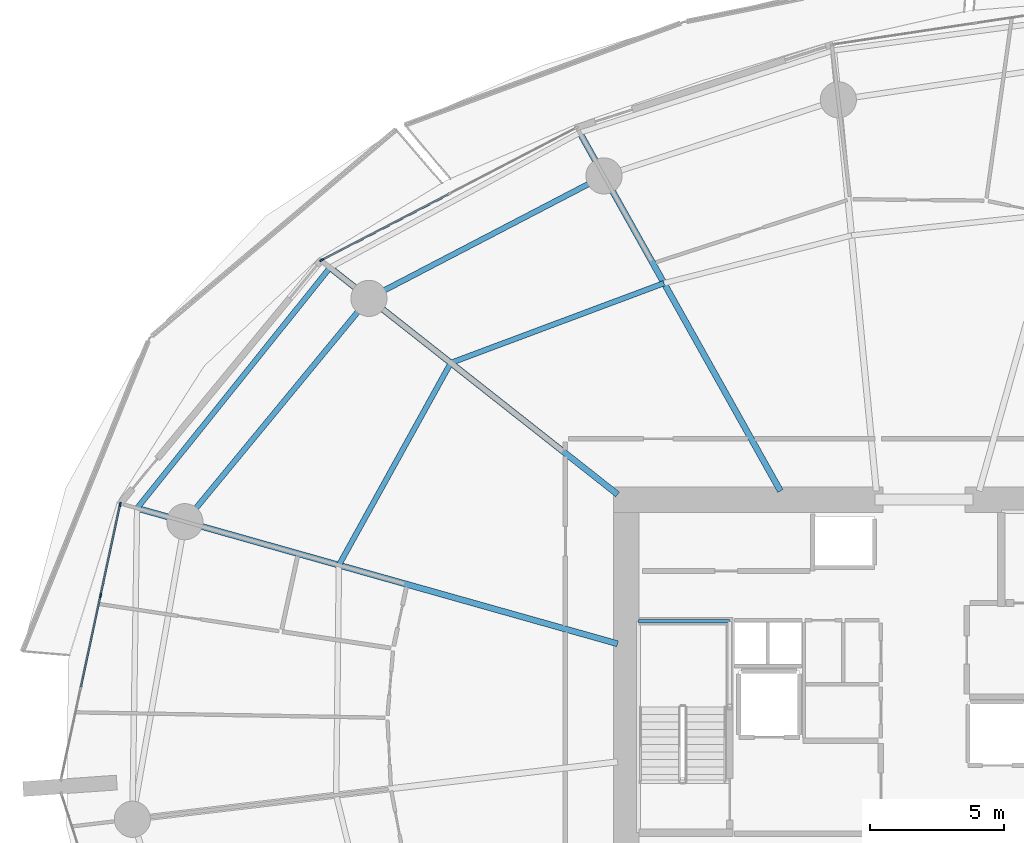
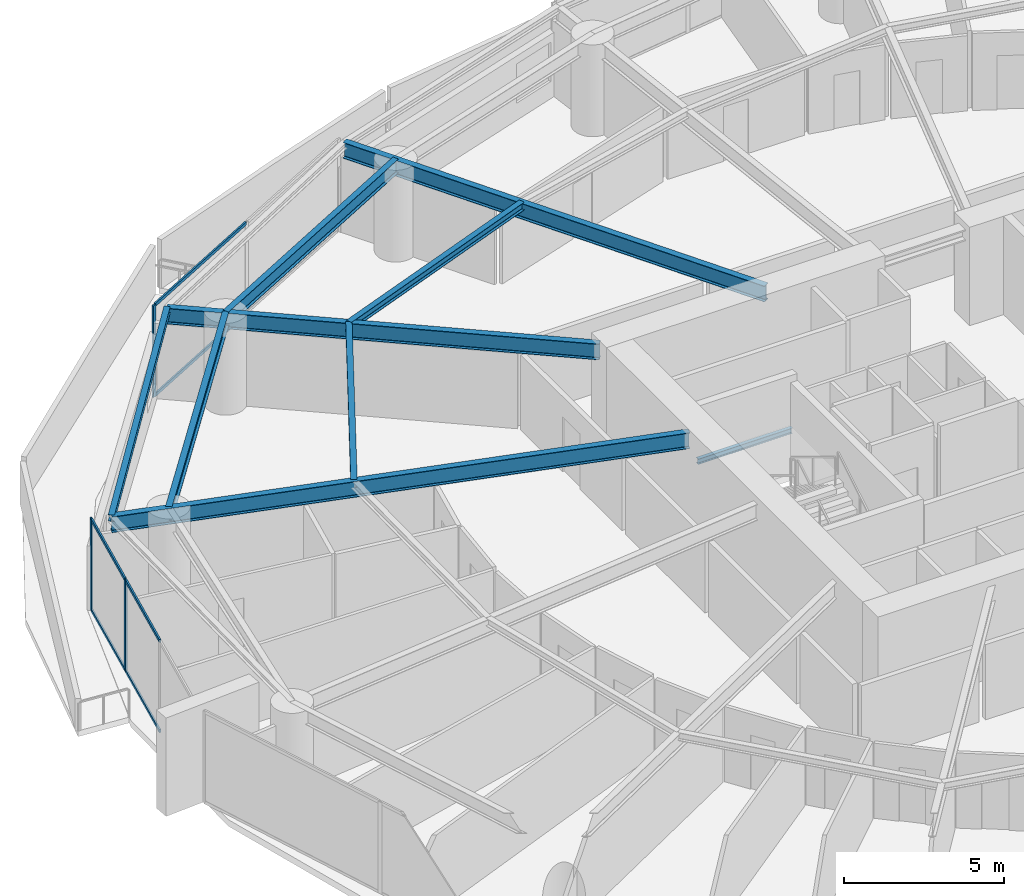
# One storey, part 12 of 31: 9 beams, 9 members, 2 elements without a shape of their own.
"""IFC4 building model written with IfcOpenShell, lengths in metres."""

import ifcopenshell
import ifcopenshell.guid

model = None  # the IFC model being written
_history = None  # IfcOwnerHistory: only IFC2X3 demands one
_inside = {}  # id of a spatial element -> (the spatial element, [elements in it])
_under = {}  # id of a project, library or spatial element -> (it, [spatial elements below it])
_declared = {}  # id of a project -> (the project, [libraries it declares])
_typed = {}  # id of a type object -> (the type object, [elements of that type])
_made_of = {}  # id of a material, layer set ... -> (it, [elements and type objects made of it])


def new_model(schema):
    """Start an empty IFC model of exactly this schema.

    Asked for "IFC4X3", IfcOpenShell would pick the latest addendum, in which some entities
    have other attributes; the version numbers below select the first issue.
    IFC2X3 requires an IfcOwnerHistory on every rooted entity: one is made here for all.
    """
    global model, _history
    if schema == "IFC4X3":
        model = ifcopenshell.file(schema_version=(4, 3, 0, 0))
    else:
        model = ifcopenshell.file(schema=schema)
    _inside.clear()
    _under.clear()
    _declared.clear()
    _typed.clear()
    _made_of.clear()
    _history = None
    if model.schema == "IFC2X3":
        org = make("IfcOrganization", Name="unknown")
        user = make(
            "IfcPersonAndOrganization",
            ThePerson=make("IfcPerson", FamilyName="unknown"),
            TheOrganization=org,
        )
        app = make(
            "IfcApplication",
            ApplicationDeveloper=org,
            Version="unknown",
            ApplicationFullName="unknown",
            ApplicationIdentifier="unknown",
        )
        _history = make(
            "IfcOwnerHistory",
            OwningUser=user,
            OwningApplication=app,
            ChangeAction="ADDED",
            CreationDate=0,
        )
    return model


def make(cls, **values):
    """One entity of the class cls with the attributes given. An attribute that is None is left unset."""
    return model.create_entity(
        cls, **{name: value for name, value in values.items() if value is not None}
    )


def rooted(cls, **values):
    """An entity with a GlobalId (a new one), such as an element, a storey or a relation."""
    return make(cls, GlobalId=ifcopenshell.guid.new(), OwnerHistory=_history, **values)


def si_unit(unit_type, name, prefix=None):
    """IfcSIUnit, for example si_unit("LENGTHUNIT", "METRE", prefix="MILLI")."""
    return make("IfcSIUnit", UnitType=unit_type, Prefix=prefix, Name=name)


def assignment(units):
    """IfcUnitAssignment: the units of a project."""
    return None if units is None else make("IfcUnitAssignment", Units=units)


def point(xyz):
    """IfcCartesianPoint."""
    return None if xyz is None else make("IfcCartesianPoint", Coordinates=xyz)


def direction(xyz):
    """IfcDirection."""
    return None if xyz is None else make("IfcDirection", DirectionRatios=xyz)


def frame(location, z_axis=None, x_axis=None):
    """IfcAxis2Placement3D, a coordinate frame: its origin and axes. An axis left out is left unset."""
    return make(
        "IfcAxis2Placement3D",
        Location=point(location),
        Axis=direction(z_axis),
        RefDirection=direction(x_axis),
    )


def frame_2d(location, x_axis=None):
    """IfcAxis2Placement2D, a coordinate frame in the plane: its origin and x axis."""
    return make(
        "IfcAxis2Placement2D", Location=point(location), RefDirection=direction(x_axis)
    )


def origin():
    """The frame at (0, 0, 0) with its axes left unset."""
    return frame((0.0, 0.0, 0.0))


def origin_2d():
    """The frame at (0, 0) in the plane with its x axis left unset."""
    return frame_2d((0.0, 0.0))


def place(relative_to, where):
    """IfcLocalPlacement: puts the frame where relative to a parent placement (None: the world)."""
    return make(
        "IfcLocalPlacement", PlacementRelTo=relative_to, RelativePlacement=where
    )


def context(
    kind, dimensions, precision=None, world=None, true_north=None, identifier=None
):
    """IfcGeometricRepresentationContext, for example the 3D "Model" context."""
    return make(
        "IfcGeometricRepresentationContext",
        ContextIdentifier=identifier,
        ContextType=kind,
        CoordinateSpaceDimension=dimensions,
        Precision=precision,
        WorldCoordinateSystem=world,
        TrueNorth=true_north,
    )


def subcontext(parent, identifier, kind, view, scale=None):
    """IfcGeometricRepresentationSubContext, for example "Body" below "Model"."""
    return make(
        "IfcGeometricRepresentationSubContext",
        ContextIdentifier=identifier,
        ContextType=kind,
        ParentContext=parent,
        TargetScale=scale,
        TargetView=view,
    )


def project(units=None, contexts=None):
    """IfcProject with its units and contexts."""
    return rooted(
        "IfcProject",
        Name="project",
        RepresentationContexts=contexts,
        UnitsInContext=assignment(units),
    )


def spatial(cls, under=None, at=None, **own):
    """A site, building, storey or space (cls), placed at a placement, below another one or the project."""
    s = rooted(cls, ObjectPlacement=at, **own)
    if under is not None:
        _under.setdefault(under.id(), (under, []))[1].append(s)
    return s


def profile(cls, at=None, kind="AREA", **sizes):
    """A parametric profile (cls). Its sizes go by their IFC names, for example OverallWidth=200.0."""
    return make(cls, ProfileType=kind, Position=at, **sizes)


def rectangle(**sizes):
    """IfcRectangleProfileDef."""
    return profile("IfcRectangleProfileDef", **sizes)


def i_section(**sizes):
    """IfcIShapeProfileDef."""
    return profile("IfcIShapeProfileDef", **sizes)


def extrude(swept, where, along, depth):
    """IfcExtrudedAreaSolid: the profile swept, set in the frame where, extruded along a direction by depth."""
    return make(
        "IfcExtrudedAreaSolid",
        SweptArea=swept,
        Position=where,
        ExtrudedDirection=direction(along),
        Depth=depth,
    )


def shape(context_of_items, identifier, shape_type, items):
    """IfcShapeRepresentation: the items that make up one representation, for example the "Body"."""
    return make(
        "IfcShapeRepresentation",
        ContextOfItems=context_of_items,
        RepresentationIdentifier=identifier,
        RepresentationType=shape_type,
        Items=items,
    )


def material(Name=None, Category=None):
    """IfcMaterial."""
    return make("IfcMaterial", Name=Name, Category=Category)


def layer(
    of_material, thickness, ventilated=None, Name=None, Category=None, Priority=None
):
    """IfcMaterialLayer: one layer of a wall or slab, of a material (None: an air gap)."""
    return make(
        "IfcMaterialLayer",
        Material=of_material,
        LayerThickness=thickness,
        IsVentilated=ventilated,
        Name=Name,
        Category=Category,
        Priority=Priority,
    )


def layer_set(layers, Name=None):
    """IfcMaterialLayerSet."""
    return make("IfcMaterialLayerSet", MaterialLayers=layers, LayerSetName=Name)


def material_profile(
    of_material, cross_section, Name=None, Category=None, Priority=None
):
    """IfcMaterialProfile: a cross section and its material."""
    return make(
        "IfcMaterialProfile",
        Name=Name,
        Material=of_material,
        Profile=cross_section,
        Priority=Priority,
        Category=Category,
    )


def profile_set(profiles, Name=None, composite=None):
    """IfcMaterialProfileSet."""
    return make(
        "IfcMaterialProfileSet",
        Name=Name,
        MaterialProfiles=profiles,
        CompositeProfile=composite,
    )


def made_of(thing, what):
    """Note that an element or type object is made of a material, layer set ...; save() writes the relation."""
    if what is not None:
        _made_of.setdefault(what.id(), (what, []))[1].append(thing)
    return thing


def type_object(cls, material=None, **own):
    """A type object (cls), such as IfcWallType, which elements share."""
    return made_of(rooted(cls, **own), material)


def element(
    cls,
    number,
    at=None,
    inside=None,
    cuts=None,
    type_object=None,
    material=None,
    context=None,
    identifier="Body",
    shape_type=None,
    held_by="IfcProductDefinitionShape",
    body=None,
    shapes=None,
    **own,
):
    """One element of the class cls, such as IfcWall. Its Tag is "e" and its number.

    at: its placement. inside: the storey or other place that contains it. cuts: it is an
    opening in that element (IfcRelVoidsElement). A single representation is given by context,
    identifier, shape_type and body (its items); several are given by shapes. held_by: the class
    of the entity that holds the representations. save() writes the other relations.
    """
    e = rooted(cls, Tag="e%d" % number, ObjectPlacement=at, **own)
    if body is not None:
        shapes = [shape(context, identifier, shape_type, body)]
    if shapes is not None:
        e.Representation = make(held_by, Representations=shapes)
    if inside is not None:
        _inside.setdefault(inside.id(), (inside, []))[1].append(e)
    if cuts is not None:
        rooted(
            "IfcRelVoidsElement", RelatingBuildingElement=cuts, RelatedOpeningElement=e
        )
    if type_object is not None:
        _typed.setdefault(type_object.id(), (type_object, []))[1].append(e)
    return made_of(e, material)


def aggregate(whole, parts):
    """IfcRelAggregates: a whole, such as a stair, and the parts it consists of."""
    return rooted("IfcRelAggregates", RelatingObject=whole, RelatedObjects=parts)


def save(model, path):
    """Write the relations noted so far, then the file.

    IfcRelAggregates (storeys below a building ...), IfcRelContainedInSpatialStructure (elements
    in a storey), IfcRelDefinesByType, IfcRelAssociatesMaterial and IfcRelDeclares: one each for
    every whole, place, type object, material and project.
    """
    for whole, parts in _under.values():
        aggregate(whole, parts)
    for where, things in _inside.values():
        rooted(
            "IfcRelContainedInSpatialStructure",
            RelatedElements=things,
            RelatingStructure=where,
        )
    for kind, things in _typed.values():
        rooted("IfcRelDefinesByType", RelatedObjects=things, RelatingType=kind)
    for what, things in _made_of.values():
        rooted("IfcRelAssociatesMaterial", RelatedObjects=things, RelatingMaterial=what)
    for by, libraries in _declared.values():
        rooted("IfcRelDeclares", RelatingContext=by, RelatedDefinitions=libraries)
    model.write(path)


model = new_model("IFC4")

# Units and contexts
model_context = context("Model", 3, precision=1e-05, world=origin(), true_north=direction((0.0, 1.0)))
body_context = subcontext(model_context, "Body", "Model", "MODEL_VIEW")
ifc_project = project(units=[si_unit("LENGTHUNIT", "METRE"), si_unit("AREAUNIT", "SQUARE_METRE"), si_unit("VOLUMEUNIT", "CUBIC_METRE"), si_unit("PLANEANGLEUNIT", "RADIAN"), si_unit("MASSUNIT", "GRAM", prefix="KILO")], contexts=[model_context])

# Site, building, storey
site_placement = place(None, origin())
site = spatial("IfcSite", under=ifc_project, at=site_placement, CompositionType="ELEMENT")
building_placement = place(site_placement, origin())
building = spatial("IfcBuilding", under=site, at=building_placement, Name="Kazma Halo Residences", CompositionType="ELEMENT")
storey_placement = place(building_placement, frame((0.0, 0.0, 52.64990234375)))
storey = spatial("IfcBuildingStorey", under=building, at=storey_placement, Name="L12", CompositionType="ELEMENT", Elevation=52.64990234375)

# Beams
ifc_material_1 = material(Name="Steel S355", Category="steel")
ifc_material_profile_1 = material_profile(ifc_material_1, i_section(OverallWidth=0.201904296875, OverallDepth=0.2470703125, WebThickness=0.00732421875, FlangeThickness=0.010986328125, FilletRadius=0.011962890625, at=origin_2d()), Name="W250x49.1")
ifc_profile_set_1 = profile_set([ifc_material_profile_1], Name="Steel S355")
beam_type_1 = type_object("IfcBeamType", Name="BM-BAL-CANT", PredefinedType="BEAM", material=ifc_profile_set_1)
beam_1_placement = place(storey_placement, frame((26.271484375, 59.12939453125, 3.376708984375), z_axis=(-0.625476617708, -0.780242911343, 0.0), x_axis=(0.780242911343, -0.625476617708, 0.0)))
element("IfcBeam", 1, at=beam_1_placement, inside=storey, type_object=beam_type_1, Name="L12 wave-balcony tie beam 06", PredefinedType="BEAM", context=body_context, shape_type="SweptSolid", body=[
    extrude(i_section(OverallWidth=0.201904296875, OverallDepth=0.2470703125, WebThickness=0.00732421875, FlangeThickness=0.010986328125, FilletRadius=0.011962890625, at=origin_2d()), origin(), (0.0, 0.0, 1.0), 11.499755859375),
])
ifc_material_profile_2 = material_profile(ifc_material_1, i_section(OverallWidth=0.22802734375, OverallDepth=0.60791015625, WebThickness=0.01123046875, FlangeThickness=0.017333984375, FilletRadius=0.01806640625, at=origin_2d()), Name="W610x113")
ifc_profile_set_2 = profile_set([ifc_material_profile_2], Name="Steel S355")
beam_type_2 = type_object("IfcBeamType", Name="BM-RAD-W610", PredefinedType="BEAM", material=ifc_profile_set_2)
beam_2_placement = place(storey_placement, frame((43.07177734375, 50.800048828125, 3.196044921875), z_axis=(-0.488624239587, 0.872494328055, 0.0), x_axis=(-0.872494328055, -0.488624239587, 0.0)))
element("IfcBeam", 2, at=beam_2_placement, inside=storey, type_object=beam_type_2, Name="L12 radial floor beam 05", PredefinedType="BEAM", context=body_context, shape_type="SweptSolid", body=[
    extrude(i_section(OverallWidth=0.22802734375, OverallDepth=0.60791015625, WebThickness=0.01123046875, FlangeThickness=0.017333984375, FilletRadius=0.01806640625, at=origin_2d()), origin(), (0.0, 0.0, 1.0), 15.316650390625),
])
beam_3_placement = place(storey_placement, frame((37.0, 50.671630859375, 3.196044921875), z_axis=(-0.78531394447, 0.619097737536, 0.0), x_axis=(-0.619097737536, -0.78531394447, 0.0)))
element("IfcBeam", 3, at=beam_3_placement, inside=storey, type_object=beam_type_2, Name="L12 radial floor beam 06", PredefinedType="BEAM", context=body_context, shape_type="SweptSolid", body=[
    extrude(i_section(OverallWidth=0.22802734375, OverallDepth=0.60791015625, WebThickness=0.01123046875, FlangeThickness=0.017333984375, FilletRadius=0.01806640625, at=origin_2d()), origin(), (0.0, 0.0, 1.0), 13.661376953125),
])
beam_4_placement = place(storey_placement, frame((37.0, 45.102294921875, 3.196044921875), z_axis=(-0.962453979784, 0.271444905641, 0.0), x_axis=(-0.271444905641, -0.962453979784, 0.0)))
element("IfcBeam", 4, at=beam_4_placement, inside=storey, type_object=beam_type_2, Name="L12 radial floor beam 07", PredefinedType="BEAM", context=body_context, shape_type="SweptSolid", body=[
    extrude(i_section(OverallWidth=0.22802734375, OverallDepth=0.60791015625, WebThickness=0.01123046875, FlangeThickness=0.017333984375, FilletRadius=0.01806640625, at=origin_2d()), origin(), (0.0, 0.0, 1.0), 18.62060546875),
])
ifc_material_profile_3 = material_profile(ifc_material_1, i_section(OverallWidth=0.202880859375, OverallDepth=0.302978515625, WebThickness=0.007568359375, FlangeThickness=0.01318359375, FilletRadius=0.013916015625, at=origin_2d()), Name="W310x60")
ifc_profile_set_3 = profile_set([ifc_material_profile_3], Name="Steel S355")
beam_type_3 = type_object("IfcBeamType", Name="BM-SEC-W310A", PredefinedType="JOIST", material=ifc_profile_set_3)
beam_5_placement = place(storey_placement, frame((38.73095703125, 58.55078125, 3.3486328125), z_axis=(-0.936676104069, -0.350196910417, 0.0), x_axis=(0.350196910417, -0.936676104069, 0.0)))
element("IfcBeam", 5, at=beam_5_placement, inside=storey, type_object=beam_type_3, Name="L12 circumferential floor joist 05", PredefinedType="JOIST", context=body_context, shape_type="SweptSolid", body=[
    extrude(i_section(OverallWidth=0.202880859375, OverallDepth=0.302978515625, WebThickness=0.007568359375, FlangeThickness=0.01318359375, FilletRadius=0.013916015625, at=origin_2d()), origin(), (0.0, 0.0, 1.0), 8.4912109375),
])
beam_6_placement = place(storey_placement, frame((30.77734375, 55.5771484375, 3.3486328125), z_axis=(-0.483953872195, -0.875093509054, 0.0), x_axis=(0.875093509054, -0.483953872195, 0.0)))
element("IfcBeam", 6, at=beam_6_placement, inside=storey, type_object=beam_type_3, Name="L12 circumferential floor joist 06", PredefinedType="JOIST", context=body_context, shape_type="SweptSolid", body=[
    extrude(i_section(OverallWidth=0.202880859375, OverallDepth=0.302978515625, WebThickness=0.007568359375, FlangeThickness=0.01318359375, FilletRadius=0.013916015625, at=origin_2d()), origin(), (0.0, 0.0, 1.0), 8.619873046875),
])
ifc_material_profile_4 = material_profile(ifc_material_1, i_section(OverallWidth=0.208984375, OverallDepth=0.532958984375, WebThickness=0.01025390625, FlangeThickness=0.015625, FilletRadius=0.01611328125, at=origin_2d()), Name="W530x92")
ifc_profile_set_4 = profile_set([ifc_material_profile_4], Name="Steel S355")
beam_type_4 = type_object("IfcBeamType", Name="BM-SPN-W530", PredefinedType="BEAM", material=ifc_profile_set_4)
beam_7_placement = place(storey_placement, frame((36.49169921875, 62.549560546875, 3.233642578125), z_axis=(-0.886956241699, -0.461853467358, 0.0), x_axis=(0.461853467358, -0.886956241699, 0.0)))
element("IfcBeam", 7, at=beam_7_placement, inside=storey, type_object=beam_type_4, Name="L12 perimeter ring beam 05", PredefinedType="BEAM", context=body_context, shape_type="SweptSolid", body=[
    extrude(i_section(OverallWidth=0.208984375, OverallDepth=0.532958984375, WebThickness=0.01025390625, FlangeThickness=0.015625, FilletRadius=0.01611328125, at=origin_2d()), origin(), (0.0, 0.0, 1.0), 9.885009765625),
])
beam_8_placement = place(storey_placement, frame((27.72412109375, 57.984130859375, 3.233642578125), z_axis=(-0.636001336663, -0.771687954916, 0.0), x_axis=(0.771687954916, -0.636001336663, 0.0)))
element("IfcBeam", 8, at=beam_8_placement, inside=storey, type_object=beam_type_4, Name="L12 perimeter ring beam 06", PredefinedType="BEAM", context=body_context, shape_type="SweptSolid", body=[
    extrude(i_section(OverallWidth=0.208984375, OverallDepth=0.532958984375, WebThickness=0.01025390625, FlangeThickness=0.015625, FilletRadius=0.01611328125, at=origin_2d()), origin(), (0.0, 0.0, 1.0), 10.7939453125),
])
ifc_material_profile_5 = material_profile(ifc_material_1, i_section(OverallWidth=0.133056640625, OverallDepth=0.20703125, WebThickness=0.005859375, FlangeThickness=0.00830078125, FilletRadius=0.010009765625, at=origin_2d()), Name="W200x26.6")
ifc_profile_set_5 = profile_set([ifc_material_profile_5], Name="Steel S355")
beam_type_5 = type_object("IfcBeamType", Name="BM-TRIM-W200", PredefinedType="BEAM", material=ifc_profile_set_5)
beam_9_placement = place(storey_placement, frame((37.780029296875, 45.93994140625, 1.570068359375), z_axis=(1.0, 0.0, 0.0), x_axis=(0.0, 1.0, 0.0)))
element("IfcBeam", 9, at=beam_9_placement, inside=storey, type_object=beam_type_5, Name="L12 ST-01 landing end wall ledger", PredefinedType="BEAM", context=body_context, shape_type="SweptSolid", body=[
    extrude(i_section(OverallWidth=0.133056640625, OverallDepth=0.20703125, WebThickness=0.005859375, FlangeThickness=0.00830078125, FilletRadius=0.010009765625, at=origin_2d()), origin(), (0.0, 0.0, 1.0), 3.39990234375),
])

# Curtain wall, member
ifc_material_2 = material(Name="Aluminium AW-6063 T6 and Triple-Silver Low-E Glass", Category="aluminium")
ifc_layer = layer(ifc_material_2, 0.159912109375)
ifc_layer_set = layer_set([ifc_layer], Name="Aluminium AW-6063 T6 and Triple-Silver Low-E Glass")
curtain_wall_type = type_object("IfcCurtainWallType", Name="CW-SYS-2", PredefinedType="NOTDEFINED", material=ifc_layer_set)
curtain_wall_1_placement = place(storey_placement, origin())
curtain_wall_1 = element("IfcCurtainWall", 10, at=curtain_wall_1_placement, inside=storey, type_object=curtain_wall_type, Name="L12 unitised curtain wall B05", PredefinedType="NOTDEFINED")
ifc_material_3 = material(Name="Aluminium AW-6063 T6", Category="aluminium")
ifc_material_profile_6 = material_profile(ifc_material_3, rectangle(XDim=0.06005859375, YDim=0.159912109375, at=origin_2d()), Name="CWM-60x160")
ifc_profile_set_6 = profile_set([ifc_material_profile_6], Name="Aluminium AW-6063 T6")
member_type_1 = type_object("IfcMemberType", Name="CW-SYS-2-MUL", PredefinedType="MULLION", material=ifc_profile_set_6)
member_1_placement = place(storey_placement, frame((25.96142578125, 59.408447265625, 0.0), z_axis=(0.0, 0.0, 1.0), x_axis=(0.460995912628, -0.887402258584, 0.0)))
member_1 = element("IfcMember", 11, at=member_1_placement, type_object=member_type_1, Name="CWS-2 mullion 3", PredefinedType="MULLION", context=body_context, shape_type="SweptSolid", body=[
    extrude(rectangle(XDim=0.06005859375, YDim=0.159912109375, at=origin_2d()), origin(), (0.0, 0.0, 1.0), 3.5),
])

# Curtain wall, members
curtain_wall_2_placement = place(storey_placement, origin())
curtain_wall_2 = element("IfcCurtainWall", 12, at=curtain_wall_2_placement, inside=storey, type_object=curtain_wall_type, Name="L12 unitised curtain wall B07", PredefinedType="NOTDEFINED")
member_2_placement = place(storey_placement, frame((18.447021484375, 50.3037109375, 0.0), z_axis=(0.0, 0.0, 1.0), x_axis=(0.977779215096, -0.209637321406, 0.0)))
member_2 = element("IfcMember", 13, at=member_2_placement, type_object=member_type_1, Name="CWS-2 mullion 1", PredefinedType="MULLION", context=body_context, shape_type="SweptSolid", body=[
    extrude(rectangle(XDim=0.06005859375, YDim=0.159912109375, at=origin_2d()), origin(), (0.0, 0.0, 1.0), 3.5),
])
member_3_placement = place(storey_placement, frame((17.717041015625, 46.898681640625, 0.0), z_axis=(0.0, 0.0, 1.0), x_axis=(0.977779215096, -0.209637321406, 0.0)))
member_3 = element("IfcMember", 14, at=member_3_placement, type_object=member_type_1, Name="CWS-2 mullion 2", PredefinedType="MULLION", context=body_context, shape_type="SweptSolid", body=[
    extrude(rectangle(XDim=0.06005859375, YDim=0.159912109375, at=origin_2d()), origin(), (0.0, 0.0, 1.0), 3.5),
])

# Member
ifc_material_profile_7 = material_profile(ifc_material_3, rectangle(XDim=0.06005859375, YDim=0.1201171875, at=origin_2d()), Name="CWT-60x120")
ifc_profile_set_7 = profile_set([ifc_material_profile_7], Name="Aluminium AW-6063 T6")
member_type_2 = type_object("IfcMemberType", Name="CW-SYS-2-TRN", PredefinedType="USERDEFINED", material=ifc_profile_set_7)
member_4_placement = place(storey_placement, frame((30.681396484375, 61.8603515625, 0.030029296875), z_axis=(-0.887414738583, -0.460971888238, 0.0), x_axis=(0.460971888238, -0.887414738583, 0.0)))
member_4 = element("IfcMember", 15, at=member_4_placement, type_object=member_type_2, Name="CWS-2 transom 2.1", ObjectType="TRANSOM", PredefinedType="USERDEFINED", context=body_context, shape_type="SweptSolid", body=[
    extrude(rectangle(XDim=0.06005859375, YDim=0.1201171875, at=origin_2d()), origin(), (0.0, 0.0, 1.0), 5.288818359375),
])

member_5_placement = place(storey_placement, frame((30.681396484375, 61.8603515625, 3.47021484375), z_axis=(-0.887414738583, -0.460971888238, 0.0), x_axis=(0.460971888238, -0.887414738583, 0.0)))
member_5 = element("IfcMember", 16, at=member_5_placement, type_object=member_type_2, Name="CWS-2 transom 2.2", ObjectType="TRANSOM", PredefinedType="USERDEFINED", context=body_context, shape_type="SweptSolid", body=[
    extrude(rectangle(XDim=0.06005859375, YDim=0.1201171875, at=origin_2d()), origin(), (0.0, 0.0, 1.0), 5.288818359375),
])

aggregate(curtain_wall_1, [member_1, member_4, member_5])

member_6_placement = place(storey_placement, frame((18.440673828125, 50.2744140625, 0.030029296875), z_axis=(-0.209650877007, -0.977776308657, 0.0), x_axis=(0.977776308657, -0.209650877007, 0.0)))
member_6 = element("IfcMember", 17, at=member_6_placement, type_object=member_type_2, Name="CWS-2 transom 1.1", ObjectType="TRANSOM", PredefinedType="USERDEFINED", context=body_context, shape_type="SweptSolid", body=[
    extrude(rectangle(XDim=0.06005859375, YDim=0.1201171875, at=origin_2d()), origin(), (0.0, 0.0, 1.0), 3.422607421875),
])

member_7_placement = place(storey_placement, frame((18.440673828125, 50.2744140625, 3.47021484375), z_axis=(-0.209650877007, -0.977776308657, 0.0), x_axis=(0.977776308657, -0.209650877007, 0.0)))
member_7 = element("IfcMember", 18, at=member_7_placement, type_object=member_type_2, Name="CWS-2 transom 1.2", ObjectType="TRANSOM", PredefinedType="USERDEFINED", context=body_context, shape_type="SweptSolid", body=[
    extrude(rectangle(XDim=0.06005859375, YDim=0.1201171875, at=origin_2d()), origin(), (0.0, 0.0, 1.0), 3.422607421875),
])

member_8_placement = place(storey_placement, frame((17.710693359375, 46.869384765625, 0.030029296875), z_axis=(-0.209669136217, -0.977772393412, 0.0), x_axis=(0.977772393412, -0.209669136217, 0.0)))
member_8 = element("IfcMember", 19, at=member_8_placement, type_object=member_type_2, Name="CWS-2 transom 2.1", ObjectType="TRANSOM", PredefinedType="USERDEFINED", context=body_context, shape_type="SweptSolid", body=[
    extrude(rectangle(XDim=0.06005859375, YDim=0.1201171875, at=origin_2d()), origin(), (0.0, 0.0, 1.0), 3.452392578125),
])

member_9_placement = place(storey_placement, frame((17.710693359375, 46.869384765625, 3.47021484375), z_axis=(-0.209669136217, -0.977772393412, 0.0), x_axis=(0.977772393412, -0.209669136217, 0.0)))
member_9 = element("IfcMember", 20, at=member_9_placement, type_object=member_type_2, Name="CWS-2 transom 2.2", ObjectType="TRANSOM", PredefinedType="USERDEFINED", context=body_context, shape_type="SweptSolid", body=[
    extrude(rectangle(XDim=0.06005859375, YDim=0.1201171875, at=origin_2d()), origin(), (0.0, 0.0, 1.0), 3.452392578125),
])

aggregate(curtain_wall_2, [member_2, member_3, member_6, member_7, member_8, member_9])

save(model, "model.ifc")
